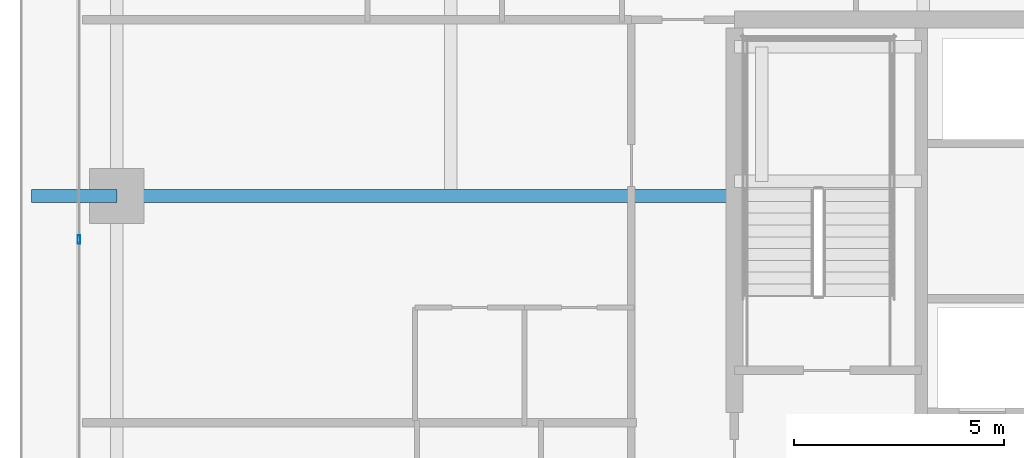
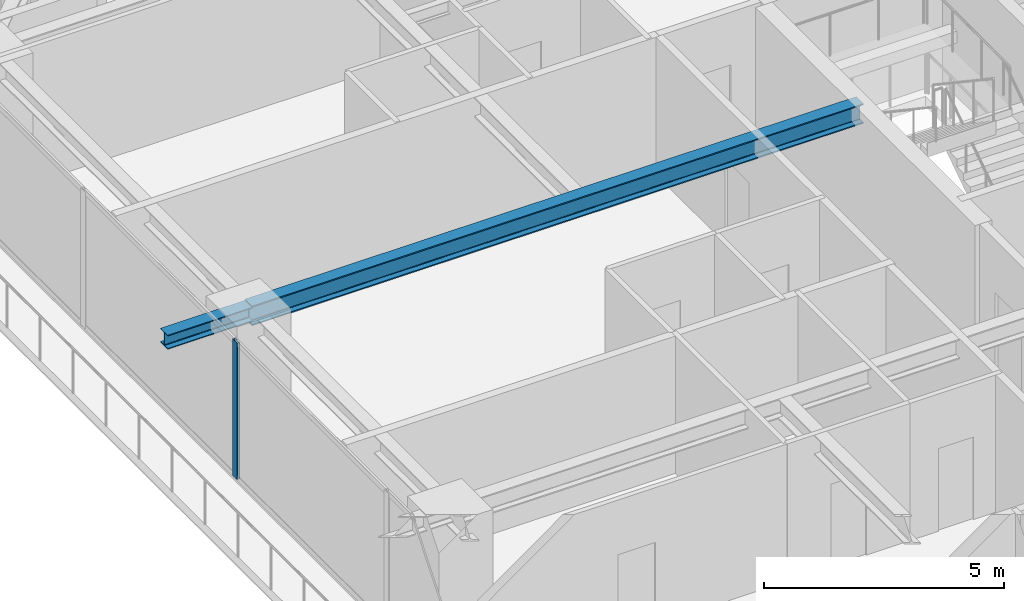
# One storey, part 9 of 36: 2 beams, 1 member, 1 element without a shape of its own.
"""IFC4 building model written with IfcOpenShell, lengths in metres."""

from ifc_helpers import new_model, si_unit, direction, frame, origin, origin_2d, place, context, subcontext, project, spatial, hollow_rectangle, i_section, extrude, source, transform, mapped, material, layer, layer_set, material_profile, profile_set, type_object, element, aggregate, save


model = new_model("IFC4")

# Units and contexts
model_context = context("Model", 3, precision=1e-05, world=origin(), true_north=direction((0.0, 1.0)))
body_context = subcontext(model_context, "Body", "Model", "MODEL_VIEW")
ifc_project = project(units=[si_unit("LENGTHUNIT", "METRE"), si_unit("AREAUNIT", "SQUARE_METRE"), si_unit("VOLUMEUNIT", "CUBIC_METRE"), si_unit("PLANEANGLEUNIT", "RADIAN"), si_unit("MASSUNIT", "GRAM", prefix="KILO")], contexts=[model_context])

# Site, building, storey
site_placement = place(None, origin())
site = spatial("IfcSite", under=ifc_project, at=site_placement, CompositionType="ELEMENT")
building_placement = place(site_placement, origin())
building = spatial("IfcBuilding", under=site, at=building_placement, Name="Serunith Strait Residences", CompositionType="ELEMENT")
storey_placement = place(building_placement, frame((0.0, 0.0, 131.39990234375)))
storey = spatial("IfcBuildingStorey", under=building, at=storey_placement, Name="L32", CompositionType="ELEMENT", Elevation=131.39990234375)

# Beams
ifc_material_1 = material(Name="Steel S355J2", Category="steel")
ifc_material_profile_1 = material_profile(ifc_material_1, i_section(OverallWidth=0.300048828125, OverallDepth=0.5, WebThickness=0.014404296875, FlangeThickness=0.028076171875, FilletRadius=0.027099609375, at=origin_2d()), Name="HEB 500")
ifc_profile_set_1 = profile_set([ifc_material_profile_1], Name="Steel S355J2")
beam_type_1 = type_object("IfcBeamType", Name="BM-HEB500", PredefinedType="BEAM", material=ifc_profile_set_1)
shared_shape_1 = source(origin(), body_context, "Body", "SweptSolid", [
    extrude(i_section(OverallWidth=0.300048828125, OverallDepth=0.5, WebThickness=0.014404296875, FlangeThickness=0.028076171875, FilletRadius=0.027099609375, at=origin_2d()), origin(), (0.0, 0.0, 1.0), 14.699951171875),
])
beam_1_placement = place(storey_placement, frame((23.39990234375, 29.39990234375, 3.237060546875), z_axis=(-1.0, 0.0, 0.0), x_axis=(0.0, -1.0, 0.0)))
element("IfcBeam", 1, at=beam_1_placement, inside=storey, type_object=beam_type_1, Name="L32 Primary Floor Girder TC-W3", PredefinedType="BEAM", context=body_context, shape_type="MappedRepresentation", body=[
    mapped(shared_shape_1, transform((0.0, 0.0, 0.0), scale=1.0)),
])
ifc_material_profile_2 = material_profile(ifc_material_1, i_section(OverallWidth=0.300048828125, OverallDepth=0.360107421875, WebThickness=0.012451171875, FlangeThickness=0.0224609375, FilletRadius=0.027099609375, at=origin_2d()), Name="HEB 360")
ifc_profile_set_2 = profile_set([ifc_material_profile_2], Name="Steel S355J2")
beam_type_2 = type_object("IfcBeamType", Name="BM-HEB360", PredefinedType="BEAM", material=ifc_profile_set_2)
shared_shape_2 = source(origin(), body_context, "Body", "SweptSolid", [
    extrude(i_section(OverallWidth=0.300048828125, OverallDepth=0.360107421875, WebThickness=0.012451171875, FlangeThickness=0.0224609375, FilletRadius=0.027099609375, at=origin_2d()), origin(), (0.0, 0.0, 1.0), 2.030029296875),
])
beam_2_placement = place(storey_placement, frame((8.699951171875, 29.39990234375, 3.277099609375), z_axis=(-1.0, 0.0, 0.0), x_axis=(0.0, -1.0, 0.0)))
element("IfcBeam", 2, at=beam_2_placement, inside=storey, type_object=beam_type_2, Name="L33 Cantilevered Balcony Rib TC-W3", PredefinedType="BEAM", context=body_context, shape_type="MappedRepresentation", body=[
    mapped(shared_shape_2, transform((0.0, 0.0, 0.0), scale=1.0)),
])

# Curtain wall, member
ifc_material_2 = material(Name="Pale-Champagne Anodised Aluminium", Category="aluminium")
ifc_layer = layer(ifc_material_2, 0.199951171875, Name="Pale-Champagne Anodised Aluminium")
ifc_layer_set = layer_set([ifc_layer], Name="Pale-Champagne Anodised Aluminium")
curtain_wall_type = type_object("IfcCurtainWallType", Name="CW-SYS2", PredefinedType="NOTDEFINED", material=ifc_layer_set)
curtain_wall_placement = place(storey_placement, origin())
curtain_wall = element("IfcCurtainWall", 3, at=curtain_wall_placement, inside=storey, type_object=curtain_wall_type, Name="L32 W Unitised Fritted Curtain Wall", PredefinedType="NOTDEFINED")
ifc_material_profile_3 = material_profile(ifc_material_2, hollow_rectangle(XDim=0.070068359375, YDim=0.199951171875, WallThickness=0.00390625, InnerFilletRadius=0.006103515625, OuterFilletRadius=0.010009765625, at=origin_2d()), Name="ALU 200x70x4")
ifc_profile_set_3 = profile_set([ifc_material_profile_3], Name="Pale-Champagne Anodised Aluminium")
member_type = type_object("IfcMemberType", Name="CW-SYS2-MULL", PredefinedType="MULLION", material=ifc_profile_set_3)
shared_shape_3 = source(origin(), body_context, "Body", "SweptSolid", [
    extrude(hollow_rectangle(XDim=0.070068359375, YDim=0.199951171875, WallThickness=0.00390625, InnerFilletRadius=0.006103515625, OuterFilletRadius=0.010009765625, at=origin_2d()), origin(), (0.0, 0.0, 1.0), 3.47509765625),
])
member_placement = place(storey_placement, frame((7.800048828125, 28.360107421875, 0.0), z_axis=(0.0, 0.0, 1.0), x_axis=(1.0, 0.0, 0.0)))
member = element("IfcMember", 4, at=member_placement, type_object=member_type, Name="CW-2 mullion 3", PredefinedType="MULLION", context=body_context, shape_type="MappedRepresentation", body=[
    mapped(shared_shape_3, transform((0.0, 0.0, 0.0), scale=1.0)),
])
aggregate(curtain_wall, [member])

save(model, "model.ifc")
